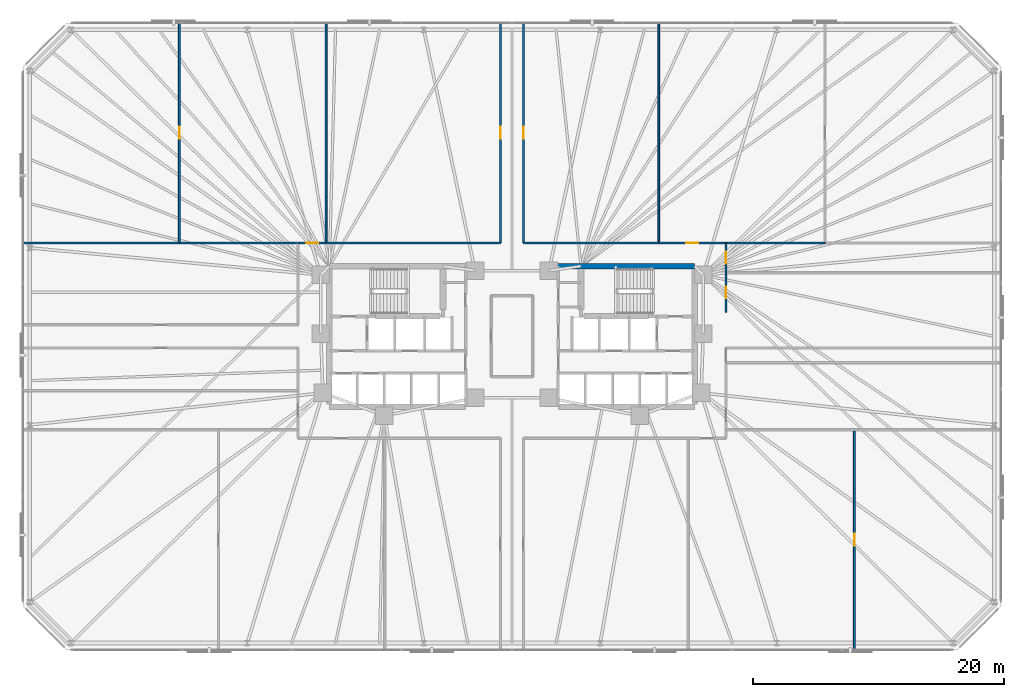
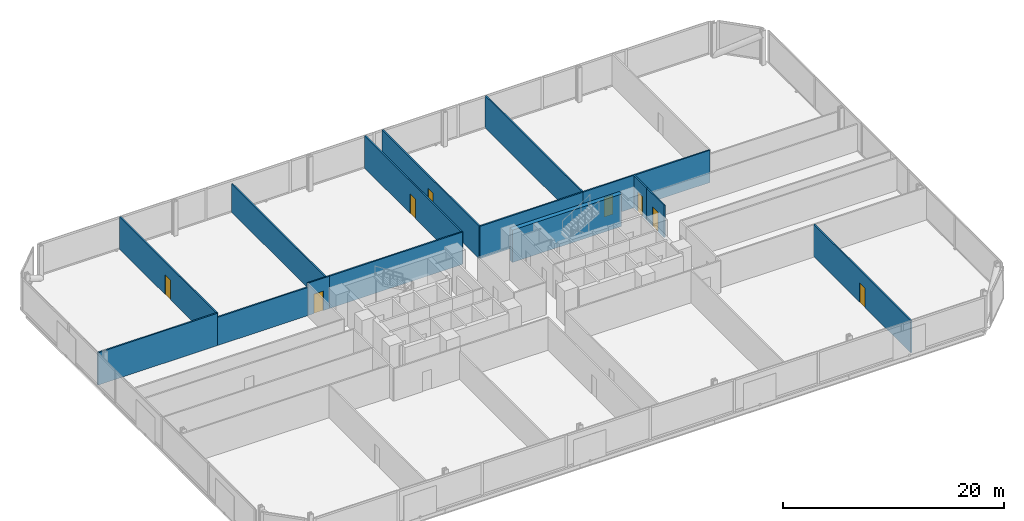
# One storey, part 14 of 17: 16 walls, 8 doors, 8 openings.
"""IFC4 building model written with IfcOpenShell, lengths in metres."""

import ifcopenshell
import ifcopenshell.guid

model = None  # the IFC model being written
_history = None  # IfcOwnerHistory: only IFC2X3 demands one
_inside = {}  # id of a spatial element -> (the spatial element, [elements in it])
_under = {}  # id of a project, library or spatial element -> (it, [spatial elements below it])
_declared = {}  # id of a project -> (the project, [libraries it declares])
_typed = {}  # id of a type object -> (the type object, [elements of that type])
_made_of = {}  # id of a material, layer set ... -> (it, [elements and type objects made of it])


def new_model(schema):
    """Start an empty IFC model of exactly this schema.

    Asked for "IFC4X3", IfcOpenShell would pick the latest addendum, in which some entities
    have other attributes; the version numbers below select the first issue.
    IFC2X3 requires an IfcOwnerHistory on every rooted entity: one is made here for all.
    """
    global model, _history
    if schema == "IFC4X3":
        model = ifcopenshell.file(schema_version=(4, 3, 0, 0))
    else:
        model = ifcopenshell.file(schema=schema)
    _inside.clear()
    _under.clear()
    _declared.clear()
    _typed.clear()
    _made_of.clear()
    _history = None
    if model.schema == "IFC2X3":
        org = make("IfcOrganization", Name="unknown")
        user = make(
            "IfcPersonAndOrganization",
            ThePerson=make("IfcPerson", FamilyName="unknown"),
            TheOrganization=org,
        )
        app = make(
            "IfcApplication",
            ApplicationDeveloper=org,
            Version="unknown",
            ApplicationFullName="unknown",
            ApplicationIdentifier="unknown",
        )
        _history = make(
            "IfcOwnerHistory",
            OwningUser=user,
            OwningApplication=app,
            ChangeAction="ADDED",
            CreationDate=0,
        )
    return model


def make(cls, **values):
    """One entity of the class cls with the attributes given. An attribute that is None is left unset."""
    return model.create_entity(
        cls, **{name: value for name, value in values.items() if value is not None}
    )


def rooted(cls, **values):
    """An entity with a GlobalId (a new one), such as an element, a storey or a relation."""
    return make(cls, GlobalId=ifcopenshell.guid.new(), OwnerHistory=_history, **values)


def si_unit(unit_type, name, prefix=None):
    """IfcSIUnit, for example si_unit("LENGTHUNIT", "METRE", prefix="MILLI")."""
    return make("IfcSIUnit", UnitType=unit_type, Prefix=prefix, Name=name)


def assignment(units):
    """IfcUnitAssignment: the units of a project."""
    return None if units is None else make("IfcUnitAssignment", Units=units)


def point(xyz):
    """IfcCartesianPoint."""
    return None if xyz is None else make("IfcCartesianPoint", Coordinates=xyz)


def direction(xyz):
    """IfcDirection."""
    return None if xyz is None else make("IfcDirection", DirectionRatios=xyz)


def frame(location, z_axis=None, x_axis=None):
    """IfcAxis2Placement3D, a coordinate frame: its origin and axes. An axis left out is left unset."""
    return make(
        "IfcAxis2Placement3D",
        Location=point(location),
        Axis=direction(z_axis),
        RefDirection=direction(x_axis),
    )


def frame_2d(location, x_axis=None):
    """IfcAxis2Placement2D, a coordinate frame in the plane: its origin and x axis."""
    return make(
        "IfcAxis2Placement2D", Location=point(location), RefDirection=direction(x_axis)
    )


def origin():
    """The frame at (0, 0, 0) with its axes left unset."""
    return frame((0.0, 0.0, 0.0))


def place(relative_to, where):
    """IfcLocalPlacement: puts the frame where relative to a parent placement (None: the world)."""
    return make(
        "IfcLocalPlacement", PlacementRelTo=relative_to, RelativePlacement=where
    )


def context(
    kind, dimensions, precision=None, world=None, true_north=None, identifier=None
):
    """IfcGeometricRepresentationContext, for example the 3D "Model" context."""
    return make(
        "IfcGeometricRepresentationContext",
        ContextIdentifier=identifier,
        ContextType=kind,
        CoordinateSpaceDimension=dimensions,
        Precision=precision,
        WorldCoordinateSystem=world,
        TrueNorth=true_north,
    )


def subcontext(parent, identifier, kind, view, scale=None):
    """IfcGeometricRepresentationSubContext, for example "Body" below "Model"."""
    return make(
        "IfcGeometricRepresentationSubContext",
        ContextIdentifier=identifier,
        ContextType=kind,
        ParentContext=parent,
        TargetScale=scale,
        TargetView=view,
    )


def project(units=None, contexts=None):
    """IfcProject with its units and contexts."""
    return rooted(
        "IfcProject",
        Name="project",
        RepresentationContexts=contexts,
        UnitsInContext=assignment(units),
    )


def spatial(cls, under=None, at=None, **own):
    """A site, building, storey or space (cls), placed at a placement, below another one or the project."""
    s = rooted(cls, ObjectPlacement=at, **own)
    if under is not None:
        _under.setdefault(under.id(), (under, []))[1].append(s)
    return s


def profile(cls, at=None, kind="AREA", **sizes):
    """A parametric profile (cls). Its sizes go by their IFC names, for example OverallWidth=200.0."""
    return make(cls, ProfileType=kind, Position=at, **sizes)


def rectangle(**sizes):
    """IfcRectangleProfileDef."""
    return profile("IfcRectangleProfileDef", **sizes)


def extrude(swept, where, along, depth):
    """IfcExtrudedAreaSolid: the profile swept, set in the frame where, extruded along a direction by depth."""
    return make(
        "IfcExtrudedAreaSolid",
        SweptArea=swept,
        Position=where,
        ExtrudedDirection=direction(along),
        Depth=depth,
    )


def shape(context_of_items, identifier, shape_type, items):
    """IfcShapeRepresentation: the items that make up one representation, for example the "Body"."""
    return make(
        "IfcShapeRepresentation",
        ContextOfItems=context_of_items,
        RepresentationIdentifier=identifier,
        RepresentationType=shape_type,
        Items=items,
    )


def material(Name=None, Category=None):
    """IfcMaterial."""
    return make("IfcMaterial", Name=Name, Category=Category)


def layer(
    of_material, thickness, ventilated=None, Name=None, Category=None, Priority=None
):
    """IfcMaterialLayer: one layer of a wall or slab, of a material (None: an air gap)."""
    return make(
        "IfcMaterialLayer",
        Material=of_material,
        LayerThickness=thickness,
        IsVentilated=ventilated,
        Name=Name,
        Category=Category,
        Priority=Priority,
    )


def layer_set(layers, Name=None):
    """IfcMaterialLayerSet."""
    return make("IfcMaterialLayerSet", MaterialLayers=layers, LayerSetName=Name)


def made_of(thing, what):
    """Note that an element or type object is made of a material, layer set ...; save() writes the relation."""
    if what is not None:
        _made_of.setdefault(what.id(), (what, []))[1].append(thing)
    return thing


def type_object(cls, material=None, **own):
    """A type object (cls), such as IfcWallType, which elements share."""
    return made_of(rooted(cls, **own), material)


def element(
    cls,
    number,
    at=None,
    inside=None,
    cuts=None,
    type_object=None,
    material=None,
    context=None,
    identifier="Body",
    shape_type=None,
    held_by="IfcProductDefinitionShape",
    body=None,
    shapes=None,
    **own,
):
    """One element of the class cls, such as IfcWall. Its Tag is "e" and its number.

    at: its placement. inside: the storey or other place that contains it. cuts: it is an
    opening in that element (IfcRelVoidsElement). A single representation is given by context,
    identifier, shape_type and body (its items); several are given by shapes. held_by: the class
    of the entity that holds the representations. save() writes the other relations.
    """
    e = rooted(cls, Tag="e%d" % number, ObjectPlacement=at, **own)
    if body is not None:
        shapes = [shape(context, identifier, shape_type, body)]
    if shapes is not None:
        e.Representation = make(held_by, Representations=shapes)
    if inside is not None:
        _inside.setdefault(inside.id(), (inside, []))[1].append(e)
    if cuts is not None:
        rooted(
            "IfcRelVoidsElement", RelatingBuildingElement=cuts, RelatedOpeningElement=e
        )
    if type_object is not None:
        _typed.setdefault(type_object.id(), (type_object, []))[1].append(e)
    return made_of(e, material)


def fill(opening, filler):
    """IfcRelFillsElement: the door or window that sits in an opening."""
    return rooted(
        "IfcRelFillsElement",
        RelatingOpeningElement=opening,
        RelatedBuildingElement=filler,
    )


def aggregate(whole, parts):
    """IfcRelAggregates: a whole, such as a stair, and the parts it consists of."""
    return rooted("IfcRelAggregates", RelatingObject=whole, RelatedObjects=parts)


def save(model, path):
    """Write the relations noted so far, then the file.

    IfcRelAggregates (storeys below a building ...), IfcRelContainedInSpatialStructure (elements
    in a storey), IfcRelDefinesByType, IfcRelAssociatesMaterial and IfcRelDeclares: one each for
    every whole, place, type object, material and project.
    """
    for whole, parts in _under.values():
        aggregate(whole, parts)
    for where, things in _inside.values():
        rooted(
            "IfcRelContainedInSpatialStructure",
            RelatedElements=things,
            RelatingStructure=where,
        )
    for kind, things in _typed.values():
        rooted("IfcRelDefinesByType", RelatedObjects=things, RelatingType=kind)
    for what, things in _made_of.values():
        rooted("IfcRelAssociatesMaterial", RelatedObjects=things, RelatingMaterial=what)
    for by, libraries in _declared.values():
        rooted("IfcRelDeclares", RelatingContext=by, RelatedDefinitions=libraries)
    model.write(path)


model = new_model("IFC4")

# Units and contexts
model_context = context("Model", 3, precision=1e-05, world=origin(), true_north=direction((0.0, 1.0)))
body_context = subcontext(model_context, "Body", "Model", "MODEL_VIEW")
ifc_project = project(units=[si_unit("LENGTHUNIT", "METRE"), si_unit("AREAUNIT", "SQUARE_METRE"), si_unit("VOLUMEUNIT", "CUBIC_METRE"), si_unit("PLANEANGLEUNIT", "RADIAN"), si_unit("MASSUNIT", "GRAM", prefix="KILO")], contexts=[model_context])

# Site, building, storey
site_placement = place(None, origin())
site = spatial("IfcSite", under=ifc_project, at=site_placement, CompositionType="ELEMENT")
building_placement = place(site_placement, origin())
building = spatial("IfcBuilding", under=site, at=building_placement, Name="Menara Jurai Vektor", CompositionType="ELEMENT")
storey_placement = place(building_placement, frame((0.0, 0.0, 71.199951171875)))
storey = spatial("IfcBuildingStorey", under=building, at=storey_placement, Name="L17", CompositionType="ELEMENT", Elevation=71.199951171875)

# Wall, opening, door
ifc_material_1 = material(Name="Gypsum Fireboard Partition", Category="gypsum")
ifc_layer_1 = layer(ifc_material_1, 0.14990234375)
ifc_layer_set_1 = layer_set([ifc_layer_1], Name="Gypsum Fireboard Partition")
wall_type_1 = type_object("IfcWallType", Name="INT-WALL-CORR-150", PredefinedType="PARTITIONING", material=ifc_layer_set_1)
wall_1_placement = place(storey_placement, frame((-17.05908203125, 7.449951171875, 0.0), z_axis=(0.0, 0.0, 1.0), x_axis=(1.0, 0.0, 0.0)))
wall_1 = element("IfcWall", 1, at=wall_1_placement, inside=storey, type_object=wall_type_1, Name="Interior Wall IW-150 L17", PredefinedType="PARTITIONING", context=body_context, shape_type="SweptSolid", body=[
    extrude(rectangle(XDim=2.239013671875, YDim=0.14990234375, at=frame_2d((1.11962890625, 0.0))), origin(), (0.0, 0.0, 1.0), 3.574951171875),
])
opening_1_placement = place(wall_1_placement, frame((0.64453125, 0.0, 0.0)))
opening_1 = element("IfcOpeningElement", 2, at=opening_1_placement, cuts=wall_1, Name="Opening D17-05", PredefinedType="OPENING", context=body_context, shape_type="SweptSolid", body=[
    extrude(rectangle(XDim=0.949951171875, YDim=2.14990234375, at=frame_2d((0.47509765625, 1.074951171875))), frame((0.0, 0.0849609375, 0.0), z_axis=(0.0, -1.0, 0.0), x_axis=(1.0, 0.0, 0.0)), (0.0, 0.0, 1.0), 0.169921875),
])
ifc_material_2 = material(Name="Solid Core Timber Fire Door", Category="wood")
door_type = type_object("IfcDoorType", Name="DR-ENTRY-950", OperationType="NOTDEFINED", PredefinedType="DOOR", material=ifc_material_2)
door_1_placement = place(opening_1_placement, origin())
door_1 = element("IfcDoor", 3, at=door_1_placement, inside=storey, type_object=door_type, Name="Interior Door D17-05", OperationType="SINGLE_SWING_RIGHT", OverallHeight=2.14990234375, OverallWidth=0.949951171875, PredefinedType="DOOR", context=body_context, shape_type="SweptSolid", body=[
    extrude(rectangle(XDim=0.949951171875, YDim=2.14990234375, at=frame_2d((0.47509765625, 1.074951171875))), frame((0.0, 0.02490234375, 0.0), z_axis=(0.0, -1.0, 0.0), x_axis=(1.0, 0.0, 0.0)), (0.0, 0.0, 1.0), 0.050048828125),
])
fill(opening_1, door_1)

# Wall
wall_2_placement = place(storey_placement, frame((-14.820068359375, 7.449951171875, 0.0), z_axis=(0.0, 0.0, 1.0), x_axis=(1.0, 0.0, 0.0)))
element("IfcWall", 4, at=wall_2_placement, inside=storey, type_object=wall_type_1, Name="Interior Wall IW-150 L17", PredefinedType="PARTITIONING", context=body_context, shape_type="SweptSolid", body=[
    extrude(rectangle(XDim=13.900146484375, YDim=0.14990234375, at=frame_2d((6.9501953125, 0.0))), origin(), (0.0, 0.0, 1.0), 3.574951171875),
])

# Wall, opening, door
wall_3_placement = place(storey_placement, frame((-0.919921875, 7.449951171875, 0.0), z_axis=(0.0, 0.0, 1.0), x_axis=(0.0, 1.0, 0.0)))
wall_3 = element("IfcWall", 5, at=wall_3_placement, inside=storey, type_object=wall_type_1, Name="Interior Wall IW-150 L17", PredefinedType="PARTITIONING", context=body_context, shape_type="SweptSolid", body=[
    extrude(rectangle(XDim=17.550048828125, YDim=0.14990234375, at=frame_2d((8.77490234375, 0.0))), origin(), (0.0, 0.0, 1.0), 3.574951171875),
])
opening_2_placement = place(wall_3_placement, frame((8.300048828125, 0.0, 0.0)))
opening_2 = element("IfcOpeningElement", 6, at=opening_2_placement, cuts=wall_3, Name="Opening D17-06", PredefinedType="OPENING", context=body_context, shape_type="SweptSolid", body=[
    extrude(rectangle(XDim=0.949951171875, YDim=2.14990234375, at=frame_2d((0.47509765625, 1.074951171875))), frame((0.0, 0.0849609375, 0.0), z_axis=(0.0, -1.0, 0.0), x_axis=(1.0, 0.0, 0.0)), (0.0, 0.0, 1.0), 0.169921875),
])
door_2_placement = place(opening_2_placement, origin())
door_2 = element("IfcDoor", 7, at=door_2_placement, inside=storey, type_object=door_type, Name="Interior Door D17-06", OperationType="SINGLE_SWING_LEFT", OverallHeight=2.14990234375, OverallWidth=0.949951171875, PredefinedType="DOOR", context=body_context, shape_type="SweptSolid", body=[
    extrude(rectangle(XDim=0.949951171875, YDim=2.14990234375, at=frame_2d((0.47509765625, 1.074951171875))), frame((0.0, 0.02490234375, 0.0), z_axis=(0.0, -1.0, 0.0), x_axis=(1.0, 0.0, 0.0)), (0.0, 0.0, 1.0), 0.050048828125),
])
fill(opening_2, door_2)

wall_4_placement = place(storey_placement, frame((0.919921875, 7.449951171875, 0.0), z_axis=(0.0, 0.0, 1.0), x_axis=(0.0, 1.0, 0.0)))
wall_4 = element("IfcWall", 8, at=wall_4_placement, inside=storey, type_object=wall_type_1, Name="Interior Wall IW-150 L17", PredefinedType="PARTITIONING", context=body_context, shape_type="SweptSolid", body=[
    extrude(rectangle(XDim=17.550048828125, YDim=0.14990234375, at=frame_2d((8.77490234375, 0.0))), origin(), (0.0, 0.0, 1.0), 3.574951171875),
])
opening_3_placement = place(wall_4_placement, frame((8.300048828125, 0.0, 0.0)))
opening_3 = element("IfcOpeningElement", 9, at=opening_3_placement, cuts=wall_4, Name="Opening D17-07", PredefinedType="OPENING", context=body_context, shape_type="SweptSolid", body=[
    extrude(rectangle(XDim=0.949951171875, YDim=2.14990234375, at=frame_2d((0.47509765625, 1.074951171875))), frame((0.0, 0.0849609375, 0.0), z_axis=(0.0, -1.0, 0.0), x_axis=(1.0, 0.0, 0.0)), (0.0, 0.0, 1.0), 0.169921875),
])
door_3_placement = place(opening_3_placement, origin())
door_3 = element("IfcDoor", 10, at=door_3_placement, inside=storey, type_object=door_type, Name="Interior Door D17-07", OperationType="SINGLE_SWING_RIGHT", OverallHeight=2.14990234375, OverallWidth=0.949951171875, PredefinedType="DOOR", context=body_context, shape_type="SweptSolid", body=[
    extrude(rectangle(XDim=0.949951171875, YDim=2.14990234375, at=frame_2d((0.47509765625, 1.074951171875))), frame((0.0, 0.02490234375, 0.0), z_axis=(0.0, -1.0, 0.0), x_axis=(1.0, 0.0, 0.0)), (0.0, 0.0, 1.0), 0.050048828125),
])
fill(opening_3, door_3)

# Wall
wall_5_placement = place(storey_placement, frame((0.919921875, 7.449951171875, 0.0), z_axis=(0.0, 0.0, 1.0), x_axis=(1.0, 0.0, 0.0)))
element("IfcWall", 11, at=wall_5_placement, inside=storey, type_object=wall_type_1, Name="Interior Wall IW-150 L17", PredefinedType="PARTITIONING", context=body_context, shape_type="SweptSolid", body=[
    extrude(rectangle(XDim=10.780029296875, YDim=0.14990234375, at=frame_2d((5.39013671875, 0.0))), origin(), (0.0, 0.0, 1.0), 3.574951171875),
])

# Wall, opening, door
wall_6_placement = place(storey_placement, frame((11.699951171875, 7.449951171875, 0.0), z_axis=(0.0, 0.0, 1.0), x_axis=(1.0, 0.0, 0.0)))
wall_6 = element("IfcWall", 12, at=wall_6_placement, inside=storey, type_object=wall_type_1, Name="Interior Wall IW-150 L17", PredefinedType="PARTITIONING", context=body_context, shape_type="SweptSolid", body=[
    extrude(rectangle(XDim=5.359130859375, YDim=0.14990234375, at=frame_2d((2.6796875, 0.0))), origin(), (0.0, 0.0, 1.0), 3.574951171875),
])
opening_4_placement = place(wall_6_placement, frame((2.20458984375, 0.0, 0.0)))
opening_4 = element("IfcOpeningElement", 13, at=opening_4_placement, cuts=wall_6, Name="Opening D17-08", PredefinedType="OPENING", context=body_context, shape_type="SweptSolid", body=[
    extrude(rectangle(XDim=0.949951171875, YDim=2.14990234375, at=frame_2d((0.47509765625, 1.074951171875))), frame((0.0, 0.0849609375, 0.0), z_axis=(0.0, -1.0, 0.0), x_axis=(1.0, 0.0, 0.0)), (0.0, 0.0, 1.0), 0.169921875),
])
door_4_placement = place(opening_4_placement, origin())
door_4 = element("IfcDoor", 14, at=door_4_placement, inside=storey, type_object=door_type, Name="Interior Door D17-08", OperationType="SINGLE_SWING_LEFT", OverallHeight=2.14990234375, OverallWidth=0.949951171875, PredefinedType="DOOR", context=body_context, shape_type="SweptSolid", body=[
    extrude(rectangle(XDim=0.949951171875, YDim=2.14990234375, at=frame_2d((0.47509765625, 1.074951171875))), frame((0.0, 0.02490234375, 0.0), z_axis=(0.0, -1.0, 0.0), x_axis=(1.0, 0.0, 0.0)), (0.0, 0.0, 1.0), 0.050048828125),
])
fill(opening_4, door_4)

wall_7_placement = place(storey_placement, frame((17.05908203125, 1.93701171875, 0.0), z_axis=(0.0, 0.0, 1.0), x_axis=(0.0, 1.0, 0.0)))
wall_7 = element("IfcWall", 15, at=wall_7_placement, inside=storey, type_object=wall_type_1, Name="Interior Wall IW-150 L17", PredefinedType="PARTITIONING", context=body_context, shape_type="SweptSolid", body=[
    extrude(rectangle(XDim=3.12890625, YDim=0.14990234375, at=frame_2d((1.564453125, 0.0))), origin(), (0.0, 0.0, 1.0), 3.574951171875),
])
opening_5_placement = place(wall_7_placement, frame((1.089599609375, 0.0, 0.0)))
opening_5 = element("IfcOpeningElement", 16, at=opening_5_placement, cuts=wall_7, Name="Opening D17-18", PredefinedType="OPENING", context=body_context, shape_type="SweptSolid", body=[
    extrude(rectangle(XDim=0.949951171875, YDim=2.14990234375, at=frame_2d((0.47509765625, 1.074951171875))), frame((0.0, 0.0849609375, 0.0), z_axis=(0.0, -1.0, 0.0), x_axis=(1.0, 0.0, 0.0)), (0.0, 0.0, 1.0), 0.169921875),
])
door_5_placement = place(opening_5_placement, origin())
door_5 = element("IfcDoor", 17, at=door_5_placement, inside=storey, type_object=door_type, Name="Interior Door D17-18", OperationType="SINGLE_SWING_LEFT", OverallHeight=2.14990234375, OverallWidth=0.949951171875, PredefinedType="DOOR", context=body_context, shape_type="SweptSolid", body=[
    extrude(rectangle(XDim=0.949951171875, YDim=2.14990234375, at=frame_2d((0.47509765625, 1.074951171875))), frame((0.0, 0.02490234375, 0.0), z_axis=(0.0, -1.0, 0.0), x_axis=(1.0, 0.0, 0.0)), (0.0, 0.0, 1.0), 0.050048828125),
])
fill(opening_5, door_5)

wall_8_placement = place(storey_placement, frame((17.05908203125, 5.06591796875, 0.0), z_axis=(0.0, 0.0, 1.0), x_axis=(0.0, 1.0, 0.0)))
wall_8 = element("IfcWall", 18, at=wall_8_placement, inside=storey, type_object=wall_type_1, Name="Interior Wall IW-150 L17", PredefinedType="PARTITIONING", context=body_context, shape_type="SweptSolid", body=[
    extrude(rectangle(XDim=2.384033203125, YDim=0.14990234375, at=frame_2d((1.19189453125, 0.0))), origin(), (0.0, 0.0, 1.0), 3.574951171875),
])
opening_6_placement = place(wall_8_placement, frame((0.717041015625, 0.0, 0.0)))
opening_6 = element("IfcOpeningElement", 19, at=opening_6_placement, cuts=wall_8, Name="Opening D17-19", PredefinedType="OPENING", context=body_context, shape_type="SweptSolid", body=[
    extrude(rectangle(XDim=0.949951171875, YDim=2.14990234375, at=frame_2d((0.47509765625, 1.074951171875))), frame((0.0, 0.0849609375, 0.0), z_axis=(0.0, -1.0, 0.0), x_axis=(1.0, 0.0, 0.0)), (0.0, 0.0, 1.0), 0.169921875),
])
door_6_placement = place(opening_6_placement, origin())
door_6 = element("IfcDoor", 20, at=door_6_placement, inside=storey, type_object=door_type, Name="Interior Door D17-19", OperationType="SINGLE_SWING_RIGHT", OverallHeight=2.14990234375, OverallWidth=0.949951171875, PredefinedType="DOOR", context=body_context, shape_type="SweptSolid", body=[
    extrude(rectangle(XDim=0.949951171875, YDim=2.14990234375, at=frame_2d((0.47509765625, 1.074951171875))), frame((0.0, 0.02490234375, 0.0), z_axis=(0.0, -1.0, 0.0), x_axis=(1.0, 0.0, 0.0)), (0.0, 0.0, 1.0), 0.050048828125),
])
fill(opening_6, door_6)

wall_9_placement = place(storey_placement, frame((-26.52001953125, 7.449951171875, 0.0), z_axis=(0.0, 0.0, 1.0), x_axis=(0.0, 1.0, 0.0)))
wall_9 = element("IfcWall", 21, at=wall_9_placement, inside=storey, type_object=wall_type_1, Name="Interior Wall IW-150 L17", PredefinedType="PARTITIONING", context=body_context, shape_type="SweptSolid", body=[
    extrude(rectangle(XDim=17.550048828125, YDim=0.14990234375, at=frame_2d((8.77490234375, 0.0))), origin(), (0.0, 0.0, 1.0), 3.574951171875),
])
opening_7_placement = place(wall_9_placement, frame((8.300048828125, 0.0, 0.0)))
opening_7 = element("IfcOpeningElement", 22, at=opening_7_placement, cuts=wall_9, Name="Opening D17-20", PredefinedType="OPENING", context=body_context, shape_type="SweptSolid", body=[
    extrude(rectangle(XDim=0.949951171875, YDim=2.14990234375, at=frame_2d((0.47509765625, 1.074951171875))), frame((0.0, 0.0849609375, 0.0), z_axis=(0.0, -1.0, 0.0), x_axis=(1.0, 0.0, 0.0)), (0.0, 0.0, 1.0), 0.169921875),
])
door_7_placement = place(opening_7_placement, origin())
door_7 = element("IfcDoor", 23, at=door_7_placement, inside=storey, type_object=door_type, Name="Interior Door D17-20", OperationType="SINGLE_SWING_LEFT", OverallHeight=2.14990234375, OverallWidth=0.949951171875, PredefinedType="DOOR", context=body_context, shape_type="SweptSolid", body=[
    extrude(rectangle(XDim=0.949951171875, YDim=2.14990234375, at=frame_2d((0.47509765625, 1.074951171875))), frame((0.0, 0.02490234375, 0.0), z_axis=(0.0, -1.0, 0.0), x_axis=(1.0, 0.0, 0.0)), (0.0, 0.0, 1.0), 0.050048828125),
])
fill(opening_7, door_7)

# Walls
wall_10_placement = place(storey_placement, frame((-39.0, 7.449951171875, 0.0), z_axis=(0.0, 0.0, 1.0), x_axis=(1.0, 0.0, 0.0)))
element("IfcWall", 24, at=wall_10_placement, inside=storey, type_object=wall_type_1, Name="Interior Wall IW-150 L17", PredefinedType="PARTITIONING", context=body_context, shape_type="SweptSolid", body=[
    extrude(rectangle(XDim=12.47998046875, YDim=0.14990234375, at=frame_2d((6.239990234375, 0.0))), origin(), (0.0, 0.0, 1.0), 3.574951171875),
])
wall_11_placement = place(storey_placement, frame((11.699951171875, 7.449951171875, 0.0), z_axis=(0.0, 0.0, 1.0), x_axis=(0.0, 1.0, 0.0)))
element("IfcWall", 25, at=wall_11_placement, inside=storey, type_object=wall_type_1, Name="Interior Wall IW-150 L17", PredefinedType="PARTITIONING", context=body_context, shape_type="SweptSolid", body=[
    extrude(rectangle(XDim=17.550048828125, YDim=0.14990234375, at=frame_2d((8.77490234375, 0.0))), origin(), (0.0, 0.0, 1.0), 3.574951171875),
])
wall_12_placement = place(storey_placement, frame((17.05908203125, 7.449951171875, 0.0), z_axis=(0.0, 0.0, 1.0), x_axis=(1.0, 0.0, 0.0)))
element("IfcWall", 26, at=wall_12_placement, inside=storey, type_object=wall_type_1, Name="Interior Wall IW-150 L17", PredefinedType="PARTITIONING", context=body_context, shape_type="SweptSolid", body=[
    extrude(rectangle(XDim=7.90087890625, YDim=0.14990234375, at=frame_2d((3.950439453125, 0.0))), origin(), (0.0, 0.0, 1.0), 3.574951171875),
])

# Wall, opening, door
wall_13_placement = place(storey_placement, frame((27.300048828125, -25.0, 0.0), z_axis=(0.0, 0.0, 1.0), x_axis=(0.0, 1.0, 0.0)))
wall_13 = element("IfcWall", 27, at=wall_13_placement, inside=storey, type_object=wall_type_1, Name="Interior Wall IW-150 L17", PredefinedType="PARTITIONING", context=body_context, shape_type="SweptSolid", body=[
    extrude(rectangle(XDim=17.550048828125, YDim=0.14990234375, at=frame_2d((8.77490234375, 0.0))), origin(), (0.0, 0.0, 1.0), 3.574951171875),
])
opening_8_placement = place(wall_13_placement, frame((8.300048828125, 0.0, 0.0)))
opening_8 = element("IfcOpeningElement", 28, at=opening_8_placement, cuts=wall_13, Name="Opening D17-23", PredefinedType="OPENING", context=body_context, shape_type="SweptSolid", body=[
    extrude(rectangle(XDim=0.949951171875, YDim=2.14990234375, at=frame_2d((0.47509765625, 1.074951171875))), frame((0.0, 0.0849609375, 0.0), z_axis=(0.0, -1.0, 0.0), x_axis=(1.0, 0.0, 0.0)), (0.0, 0.0, 1.0), 0.169921875),
])
door_8_placement = place(opening_8_placement, origin())
door_8 = element("IfcDoor", 29, at=door_8_placement, inside=storey, type_object=door_type, Name="Interior Door D17-23", OperationType="SINGLE_SWING_RIGHT", OverallHeight=2.14990234375, OverallWidth=0.949951171875, PredefinedType="DOOR", context=body_context, shape_type="SweptSolid", body=[
    extrude(rectangle(XDim=0.949951171875, YDim=2.14990234375, at=frame_2d((0.47509765625, 1.074951171875))), frame((0.0, 0.02490234375, 0.0), z_axis=(0.0, -1.0, 0.0), x_axis=(1.0, 0.0, 0.0)), (0.0, 0.0, 1.0), 0.050048828125),
])
fill(opening_8, door_8)

# Walls
ifc_layer_2 = layer(ifc_material_1, 0.14990234375)
ifc_layer_set_2 = layer_set([ifc_layer_2], Name="Gypsum Fireboard Partition")
wall_type_2 = type_object("IfcWallType", Name="INT-WALL-CORR-150-H1", PredefinedType="PARTITIONING", material=ifc_layer_set_2)
wall_14_placement = place(storey_placement, frame((-14.820068359375, 7.449951171875, 0.0), z_axis=(0.0, 0.0, 1.0), x_axis=(0.0, 1.0, 0.0)))
element("IfcWall", 30, at=wall_14_placement, inside=storey, type_object=wall_type_2, Name="Interior Wall IW-150 L17", PredefinedType="PARTITIONING", context=body_context, shape_type="SweptSolid", body=[
    extrude(rectangle(XDim=17.550048828125, YDim=0.14990234375, at=frame_2d((8.77490234375, 0.0))), origin(), (0.0, 0.0, 1.0), 3.125),
])
wall_15_placement = place(storey_placement, frame((-26.52001953125, 7.449951171875, 0.0), z_axis=(0.0, 0.0, 1.0), x_axis=(1.0, 0.0, 0.0)))
element("IfcWall", 31, at=wall_15_placement, inside=storey, type_object=wall_type_2, Name="Interior Wall IW-150 L17", PredefinedType="PARTITIONING", context=body_context, shape_type="SweptSolid", body=[
    extrude(rectangle(XDim=9.4609375, YDim=0.14990234375, at=frame_2d((4.73046875, 0.0))), origin(), (0.0, 0.0, 1.0), 3.125),
])
ifc_material_3 = material(Name="Concrete C60/75", Category="concrete")
ifc_layer_3 = layer(ifc_material_3, 0.449951171875)
ifc_layer_set_3 = layer_set([ifc_layer_3], Name="Concrete C60/75")
wall_type_3 = type_object("IfcWallType", Name="STR-WALL-CORE450", PredefinedType="SHEAR", material=ifc_layer_set_3)
wall_16_placement = place(storey_placement, frame((3.14990234375, 5.60009765625, 0.0), z_axis=(0.0, 0.0, 1.0), x_axis=(1.0, 0.0, 0.0)))
element("IfcWall", 32, at=wall_16_placement, inside=storey, type_object=wall_type_3, Name="Core Shear Wall CW-E-N L17", PredefinedType="SHEAR", context=body_context, shape_type="SweptSolid", body=[
    extrude(rectangle(XDim=11.41015625, YDim=0.449951171875, at=frame_2d((5.705078125, 0.0))), origin(), (0.0, 0.0, 1.0), 3.574951171875),
])

save(model, "model.ifc")
